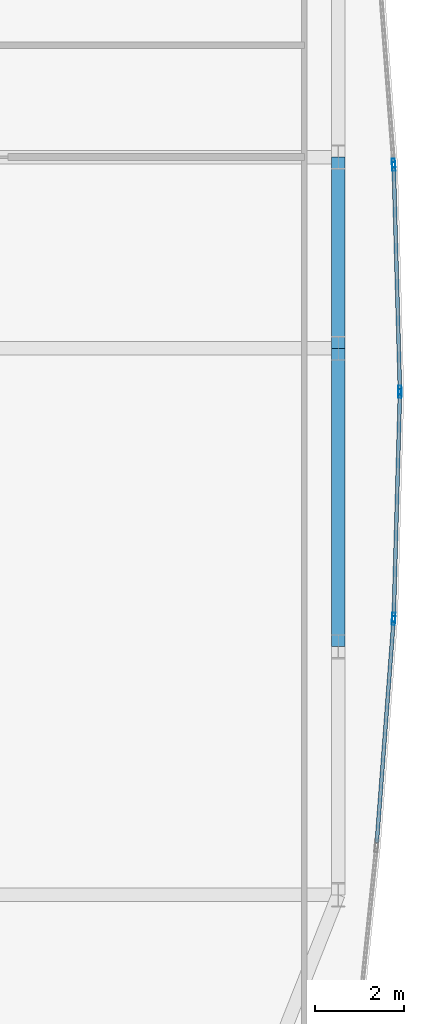
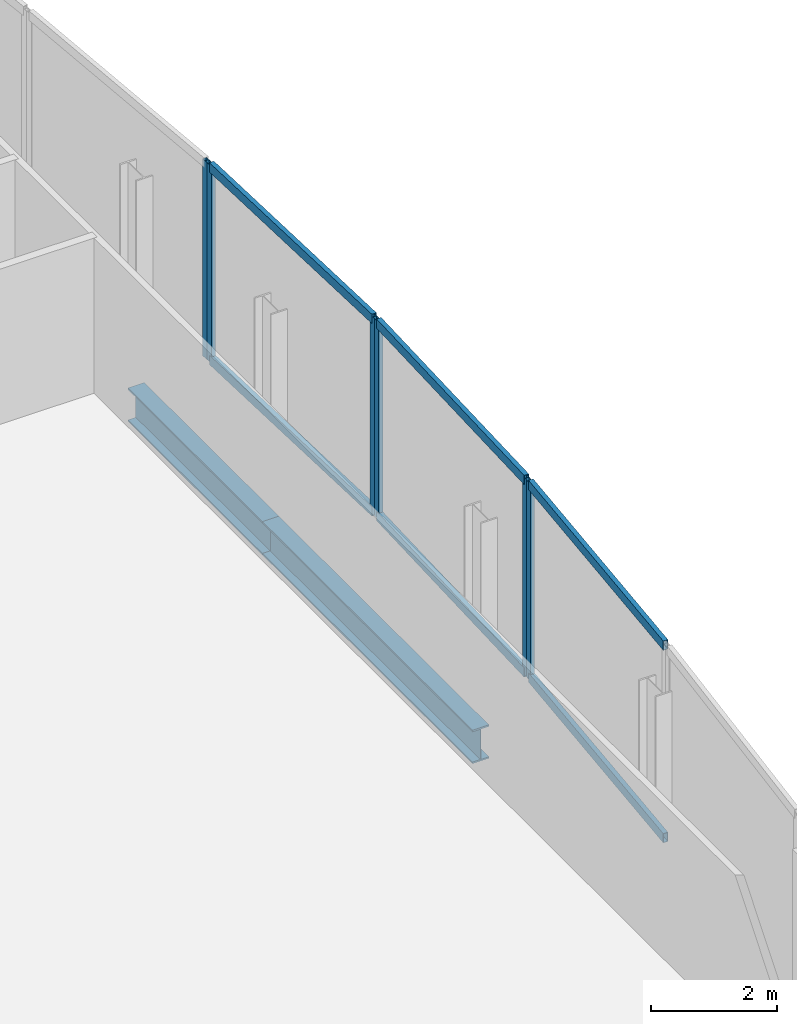
# One storey, part 22 of 32: 12 members, 2 beams, 4 elements without a shape of their own.
"""IFC4 building model written with IfcOpenShell, lengths in metres."""

from ifc_helpers import new_model, si_unit, direction, frame, origin, origin_2d, place, context, subcontext, project, spatial, hollow_rectangle, i_section, extrude, material, material_profile, profile_set, type_object, element, aggregate, save


model = new_model("IFC4")

# Units and contexts
model_context = context("Model", 3, precision=1e-05, world=origin(), true_north=direction((0.0, 1.0)))
body_context = subcontext(model_context, "Body", "Model", "MODEL_VIEW")
ifc_project = project(units=[si_unit("LENGTHUNIT", "METRE"), si_unit("AREAUNIT", "SQUARE_METRE"), si_unit("VOLUMEUNIT", "CUBIC_METRE"), si_unit("PLANEANGLEUNIT", "RADIAN"), si_unit("MASSUNIT", "GRAM", prefix="KILO")], contexts=[model_context])

# Site, building, storey
site_placement = place(None, origin())
site = spatial("IfcSite", under=ifc_project, at=site_placement, CompositionType="ELEMENT")
building_placement = place(site_placement, origin())
building = spatial("IfcBuilding", under=site, at=building_placement, Name="Khoronbel Lancet Exchange", CompositionType="ELEMENT")
storey_placement = place(building_placement, frame((0.0, 0.0, 29.800048828125)))
storey = spatial("IfcBuildingStorey", under=building, at=storey_placement, Name="L06", CompositionType="ELEMENT", Elevation=29.800048828125)

# Beams
ifc_material_1 = material(Name="Steel S355", Category="steel")
ifc_material_profile_1 = material_profile(ifc_material_1, i_section(OverallWidth=0.300048828125, OverallDepth=0.64990234375, WebThickness=0.01611328125, FlangeThickness=0.031005859375, at=origin_2d()), Name="HEB 650")
ifc_profile_set_1 = profile_set([ifc_material_profile_1], Name="Steel S355")
beam_type = type_object("IfcBeamType", Name="BM-BSP1", PredefinedType="SPANDREL", material=ifc_profile_set_1)
beam_1_placement = place(storey_placement, frame((71.6298828125, 24.75, -0.505126953125), z_axis=(0.0, 1.0, 0.0), x_axis=(-1.0, 0.0, 0.0)))
element("IfcBeam", 1, at=beam_1_placement, inside=storey, type_object=beam_type, Name="Level L06 perimeter spandrel beam SP12", PredefinedType="SPANDREL", context=body_context, shape_type="SweptSolid", body=[
    extrude(i_section(OverallWidth=0.300048828125, OverallDepth=0.64990234375, WebThickness=0.01611328125, FlangeThickness=0.031005859375, at=origin_2d()), origin(), (0.0, 0.0, 1.0), 6.675048828125),
])
beam_2_placement = place(storey_placement, frame((71.6298828125, 31.425048828125, -0.505126953125), z_axis=(0.0, 1.0, 0.0), x_axis=(-1.0, 0.0, 0.0)))
element("IfcBeam", 2, at=beam_2_placement, inside=storey, type_object=beam_type, Name="Level L06 perimeter spandrel beam SP13", PredefinedType="SPANDREL", context=body_context, shape_type="SweptSolid", body=[
    extrude(i_section(OverallWidth=0.300048828125, OverallDepth=0.64990234375, WebThickness=0.01611328125, FlangeThickness=0.031005859375, at=origin_2d()), origin(), (0.0, 0.0, 1.0), 4.27490234375),
])

# Curtain wall, member
ifc_material_2 = material(Name="Low-E Solar Control Insulating Glass", Category="glass")
curtain_wall_type = type_object("IfcCurtainWallType", Name="CW-4", PredefinedType="NOTDEFINED", material=ifc_material_2)
curtain_wall_1_placement = place(storey_placement, origin())
curtain_wall_1 = element("IfcCurtainWall", 3, at=curtain_wall_1_placement, inside=storey, type_object=curtain_wall_type, Name="Unitised curtain wall CW-L06-E18", PredefinedType="NOTDEFINED")
ifc_material_3 = material(Name="Bronze-Anodised Aluminium 6063-T6", Category="aluminium")
ifc_material_profile_2 = material_profile(ifc_material_3, hollow_rectangle(XDim=0.074951171875, YDim=0.199951171875, WallThickness=0.0048828125, at=origin_2d()), Name="ALU MULLION 75x200")
ifc_profile_set_2 = profile_set([ifc_material_profile_2], Name="Bronze-Anodised Aluminium 6063-T6")
member_type_1 = type_object("IfcMemberType", Name="MEM-CWM2", PredefinedType="MULLION", material=ifc_profile_set_2)
member_1_placement = place(storey_placement, frame((72.866455078125, 35.566162109375, 0.0), z_axis=(0.0, 0.0, 1.0), x_axis=(0.997153744129, 0.075395030141, 0.0)))
member_1 = element("IfcMember", 4, at=member_1_placement, type_object=member_type_1, Name="CW4 mullion 2", PredefinedType="MULLION", context=body_context, shape_type="SweptSolid", body=[
    extrude(hollow_rectangle(XDim=0.074951171875, YDim=0.199951171875, WallThickness=0.0048828125, at=origin_2d()), origin(), (0.0, 0.0, 1.0), 3.820068359375),
])
aggregate(curtain_wall_1, [member_1])

# Curtain wall, members
curtain_wall_2_placement = place(storey_placement, origin())
curtain_wall_2 = element("IfcCurtainWall", 5, at=curtain_wall_2_placement, inside=storey, type_object=curtain_wall_type, Name="Unitised curtain wall CW-L06-E19", PredefinedType="NOTDEFINED")
member_2_placement = place(storey_placement, frame((72.870361328125, 35.4912109375, 0.0), z_axis=(0.0, 0.0, 1.0), x_axis=(0.999617011286, 0.027673647157, 0.0)))
member_2 = element("IfcMember", 6, at=member_2_placement, type_object=member_type_1, Name="CW4 mullion 1", PredefinedType="MULLION", context=body_context, shape_type="SweptSolid", body=[
    extrude(hollow_rectangle(XDim=0.074951171875, YDim=0.199951171875, WallThickness=0.0048828125, at=origin_2d()), origin(), (0.0, 0.0, 1.0), 3.820068359375),
])
member_3_placement = place(storey_placement, frame((73.009033203125, 30.487548828125, 0.0), z_axis=(0.0, 0.0, 1.0), x_axis=(0.999617011286, 0.027673647157, 0.0)))
member_3 = element("IfcMember", 7, at=member_3_placement, type_object=member_type_1, Name="CW4 mullion 2", PredefinedType="MULLION", context=body_context, shape_type="SweptSolid", body=[
    extrude(hollow_rectangle(XDim=0.074951171875, YDim=0.199951171875, WallThickness=0.0048828125, at=origin_2d()), origin(), (0.0, 0.0, 1.0), 3.820068359375),
])

curtain_wall_3_placement = place(storey_placement, origin())
curtain_wall_3 = element("IfcCurtainWall", 8, at=curtain_wall_3_placement, inside=storey, type_object=curtain_wall_type, Name="Unitised curtain wall CW-L06-E20", PredefinedType="NOTDEFINED")
member_4_placement = place(storey_placement, frame((73.009033203125, 30.41259765625, 0.0), z_axis=(0.0, 0.0, 1.0), x_axis=(0.999617011286, -0.027673647157, 0.0)))
member_4 = element("IfcMember", 9, at=member_4_placement, type_object=member_type_1, Name="CW4 mullion 1", PredefinedType="MULLION", context=body_context, shape_type="SweptSolid", body=[
    extrude(hollow_rectangle(XDim=0.074951171875, YDim=0.199951171875, WallThickness=0.0048828125, at=origin_2d()), origin(), (0.0, 0.0, 1.0), 3.820068359375),
])
member_5_placement = place(storey_placement, frame((72.870361328125, 25.40869140625, 0.0), z_axis=(0.0, 0.0, 1.0), x_axis=(0.999617011286, -0.027673647157, 0.0)))
member_5 = element("IfcMember", 10, at=member_5_placement, type_object=member_type_1, Name="CW4 mullion 2", PredefinedType="MULLION", context=body_context, shape_type="SweptSolid", body=[
    extrude(hollow_rectangle(XDim=0.074951171875, YDim=0.199951171875, WallThickness=0.0048828125, at=origin_2d()), origin(), (0.0, 0.0, 1.0), 3.820068359375),
])

# Curtain wall, member
curtain_wall_4_placement = place(storey_placement, origin())
curtain_wall_4 = element("IfcCurtainWall", 11, at=curtain_wall_4_placement, inside=storey, type_object=curtain_wall_type, Name="Unitised curtain wall CW-L06-E21", PredefinedType="NOTDEFINED")
member_6_placement = place(storey_placement, frame((72.866455078125, 25.333984375, 0.0), z_axis=(0.0, 0.0, 1.0), x_axis=(0.997153744129, -0.075395030141, 0.0)))
member_6 = element("IfcMember", 12, at=member_6_placement, type_object=member_type_1, Name="CW4 mullion 1", PredefinedType="MULLION", context=body_context, shape_type="SweptSolid", body=[
    extrude(hollow_rectangle(XDim=0.074951171875, YDim=0.199951171875, WallThickness=0.0048828125, at=origin_2d()), origin(), (0.0, 0.0, 1.0), 3.820068359375),
])

# Member
ifc_material_profile_3 = material_profile(ifc_material_3, hollow_rectangle(XDim=0.0849609375, YDim=0.179931640625, WallThickness=0.0048828125, at=origin_2d()), Name="ALU TRANSOM 85x180")
ifc_profile_set_3 = profile_set([ifc_material_profile_3], Name="Bronze-Anodised Aluminium 6063-T6")
member_type_2 = type_object("IfcMemberType", Name="MEM-CWT1", PredefinedType="USERDEFINED", material=ifc_profile_set_3)
member_7_placement = place(storey_placement, frame((72.87158203125, 35.45361328125, 0.04248046875), z_axis=(0.027629630064, -0.999618228897, 0.0), x_axis=(0.999618228897, 0.027629630064, 0.0)))
member_7 = element("IfcMember", 13, at=member_7_placement, type_object=member_type_2, Name="CW4 transom 1.1", ObjectType="TRANSOM", PredefinedType="USERDEFINED", context=body_context, shape_type="SweptSolid", body=[
    extrude(hollow_rectangle(XDim=0.0849609375, YDim=0.179931640625, WallThickness=0.0048828125, at=origin_2d()), origin(), (0.0, 0.0, 1.0), 4.9306640625),
])

member_8_placement = place(storey_placement, frame((72.87158203125, 35.45361328125, 3.77734375), z_axis=(0.027629630064, -0.999618228897, 0.0), x_axis=(0.999618228897, 0.027629630064, 0.0)))
member_8 = element("IfcMember", 14, at=member_8_placement, type_object=member_type_2, Name="CW4 transom 1.2", ObjectType="TRANSOM", PredefinedType="USERDEFINED", context=body_context, shape_type="SweptSolid", body=[
    extrude(hollow_rectangle(XDim=0.0849609375, YDim=0.179931640625, WallThickness=0.0048828125, at=origin_2d()), origin(), (0.0, 0.0, 1.0), 4.9306640625),
])

aggregate(curtain_wall_2, [member_2, member_3, member_7, member_8])

member_9_placement = place(storey_placement, frame((73.0078125, 30.375, 0.04248046875), z_axis=(-0.027629630064, -0.999618228897, 0.0), x_axis=(0.999618228897, -0.027629630064, 0.0)))
member_9 = element("IfcMember", 15, at=member_9_placement, type_object=member_type_2, Name="CW4 transom 1.1", ObjectType="TRANSOM", PredefinedType="USERDEFINED", context=body_context, shape_type="SweptSolid", body=[
    extrude(hollow_rectangle(XDim=0.0849609375, YDim=0.179931640625, WallThickness=0.0048828125, at=origin_2d()), origin(), (0.0, 0.0, 1.0), 4.9306640625),
])

member_10_placement = place(storey_placement, frame((73.0078125, 30.375, 3.77734375), z_axis=(-0.027629630064, -0.999618228897, 0.0), x_axis=(0.999618228897, -0.027629630064, 0.0)))
member_10 = element("IfcMember", 16, at=member_10_placement, type_object=member_type_2, Name="CW4 transom 1.2", ObjectType="TRANSOM", PredefinedType="USERDEFINED", context=body_context, shape_type="SweptSolid", body=[
    extrude(hollow_rectangle(XDim=0.0849609375, YDim=0.179931640625, WallThickness=0.0048828125, at=origin_2d()), origin(), (0.0, 0.0, 1.0), 4.9306640625),
])

aggregate(curtain_wall_3, [member_4, member_5, member_9, member_10])

member_11_placement = place(storey_placement, frame((72.86376953125, 25.296630859375, 0.04248046875), z_axis=(-0.07539383567, -0.997153834442, 0.0), x_axis=(0.997153834442, -0.07539383567, 0.0)))
member_11 = element("IfcMember", 17, at=member_11_placement, type_object=member_type_2, Name="CW4 transom 1.1", ObjectType="TRANSOM", PredefinedType="USERDEFINED", context=body_context, shape_type="SweptSolid", body=[
    extrude(hollow_rectangle(XDim=0.0849609375, YDim=0.179931640625, WallThickness=0.0048828125, at=origin_2d()), origin(), (0.0, 0.0, 1.0), 4.94482421875),
])

member_12_placement = place(storey_placement, frame((72.86376953125, 25.296630859375, 3.77734375), z_axis=(-0.07539383567, -0.997153834442, 0.0), x_axis=(0.997153834442, -0.07539383567, 0.0)))
member_12 = element("IfcMember", 18, at=member_12_placement, type_object=member_type_2, Name="CW4 transom 1.2", ObjectType="TRANSOM", PredefinedType="USERDEFINED", context=body_context, shape_type="SweptSolid", body=[
    extrude(hollow_rectangle(XDim=0.0849609375, YDim=0.179931640625, WallThickness=0.0048828125, at=origin_2d()), origin(), (0.0, 0.0, 1.0), 4.94482421875),
])

aggregate(curtain_wall_4, [member_6, member_11, member_12])

save(model, "model.ifc")
